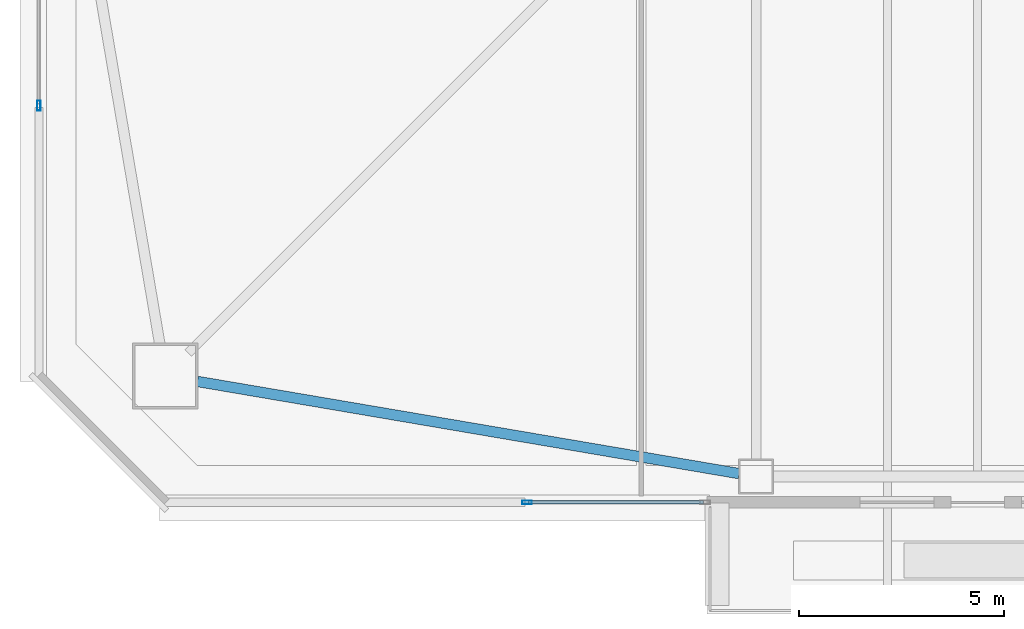
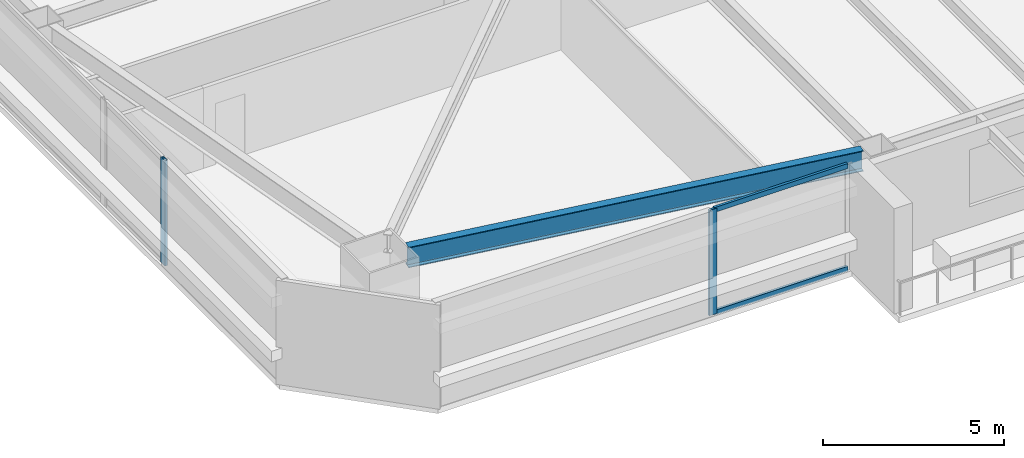
# One storey, part 3 of 48: 4 members, 1 beam, 2 elements without a shape of their own.
"""IFC4 building model written with IfcOpenShell, lengths in metres."""

from ifc_helpers import new_model, si_unit, direction, frame, origin, origin_2d, place, context, subcontext, project, spatial, hollow_rectangle, i_section, extrude, material, material_profile, profile_set, type_object, element, aggregate, save


model = new_model("IFC4")

# Units and contexts
model_context = context("Model", 3, precision=1e-05, world=origin(), true_north=direction((0.0, 1.0)))
body_context = subcontext(model_context, "Body", "Model", "MODEL_VIEW")
ifc_project = project(units=[si_unit("LENGTHUNIT", "METRE"), si_unit("AREAUNIT", "SQUARE_METRE"), si_unit("VOLUMEUNIT", "CUBIC_METRE"), si_unit("PLANEANGLEUNIT", "RADIAN"), si_unit("MASSUNIT", "GRAM", prefix="KILO")], contexts=[model_context])

# Site, building, storey
site_placement = place(None, origin())
site = spatial("IfcSite", under=ifc_project, at=site_placement, CompositionType="ELEMENT")
building_placement = place(site_placement, origin())
building = spatial("IfcBuilding", under=site, at=building_placement, Name="Tashvorn Skyway Center", CompositionType="ELEMENT")
storey_placement = place(building_placement, frame((0.0, 0.0, 56.550048828125)))
storey = spatial("IfcBuildingStorey", under=building, at=storey_placement, Name="L14", CompositionType="ELEMENT", Elevation=56.550048828125)

# Beam
ifc_material_1 = material(Name="Steel ASTM A992 Grade 50", Category="steel")
ifc_material_profile_1 = material_profile(ifc_material_1, i_section(OverallWidth=0.256103515625, OverallDepth=0.693115234375, WebThickness=0.014404296875, FlangeThickness=0.023681640625, at=origin_2d()), Name="W27X114")
ifc_profile_set_1 = profile_set([ifc_material_profile_1], Name="Steel ASTM A992 Grade 50")
beam_type = type_object("IfcBeamType", Name="BM-SPANDREL-W27X114", PredefinedType="SPANDREL", material=ifc_profile_set_1)
beam_placement = place(storey_placement, frame((22.983642578125, 12.066650390625, 3.00341796875), z_axis=(0.985835025551, -0.16771792509, 0.0), x_axis=(0.16771792509, 0.985835025551, 0.0)))
element("IfcBeam", 1, at=beam_placement, inside=storey, type_object=beam_type, Name="Tower 1 L14 Spandrel Beam 01", PredefinedType="SPANDREL", context=body_context, shape_type="SweptSolid", body=[
    extrude(i_section(OverallWidth=0.256103515625, OverallDepth=0.693115234375, WebThickness=0.014404296875, FlangeThickness=0.023681640625, at=origin_2d()), origin(), (0.0, 0.0, 1.0), 13.39208984375),
])

# Curtain wall, member
ifc_material_2 = material(Name="Thermally broken bronze-anodized aluminium 6063-T6", Category="aluminium")
curtain_wall_type = type_object("IfcCurtainWallType", Name="CW-CW-Z1", PredefinedType="NOTDEFINED", material=ifc_material_2)
curtain_wall_1_placement = place(storey_placement, origin())
curtain_wall_1 = element("IfcCurtainWall", 2, at=curtain_wall_1_placement, inside=storey, type_object=curtain_wall_type, Name="Tower 1 L14 South Curtain Wall R Glazing Group 1", PredefinedType="NOTDEFINED")
ifc_material_profile_2 = material_profile(ifc_material_2, hollow_rectangle(XDim=0.0849609375, YDim=0.239990234375, WallThickness=0.0048828125, at=origin_2d()), Name="ALU-MULL-85x240")
ifc_profile_set_2 = profile_set([ifc_material_profile_2], Name="Thermally broken bronze-anodized aluminium 6063-T6")
member_type_1 = type_object("IfcMemberType", Name="CWM-CW-Z1", PredefinedType="MULLION", material=ifc_profile_set_2)
member_1_placement = place(storey_placement, frame((31.015869140625, 9.1201171875, 0.0), z_axis=(0.0, 0.0, 1.0), x_axis=(0.0, -1.0, 0.0)))
member_1 = element("IfcMember", 3, at=member_1_placement, type_object=member_type_1, Name="CW-Z1 mullion 2", PredefinedType="MULLION", context=body_context, shape_type="SweptSolid", body=[
    extrude(hollow_rectangle(XDim=0.0849609375, YDim=0.239990234375, WallThickness=0.0048828125, at=origin_2d()), origin(), (0.0, 0.0, 1.0), 3.550048828125),
])

curtain_wall_2_placement = place(storey_placement, origin())
curtain_wall_2 = element("IfcCurtainWall", 4, at=curtain_wall_2_placement, inside=storey, type_object=curtain_wall_type, Name="Tower 1 L14 West Unitised Curtain Wall Glazing Group 1", PredefinedType="NOTDEFINED")
member_2_placement = place(storey_placement, frame((19.1201171875, 18.789306640625, 0.0), z_axis=(0.0, 0.0, 1.0), x_axis=(-1.0, 0.0, 0.0)))
member_2 = element("IfcMember", 5, at=member_2_placement, type_object=member_type_1, Name="CW-Z1 mullion 1", PredefinedType="MULLION", context=body_context, shape_type="SweptSolid", body=[
    extrude(hollow_rectangle(XDim=0.0849609375, YDim=0.239990234375, WallThickness=0.0048828125, at=origin_2d()), origin(), (0.0, 0.0, 1.0), 3.550048828125),
])
aggregate(curtain_wall_2, [member_2])

# Member
ifc_material_profile_3 = material_profile(ifc_material_2, hollow_rectangle(XDim=0.0849609375, YDim=0.1650390625, WallThickness=0.0048828125, at=origin_2d()), Name="ALU-TRAN-85x165")
ifc_profile_set_3 = profile_set([ifc_material_profile_3], Name="Thermally broken bronze-anodized aluminium 6063-T6")
member_type_2 = type_object("IfcMemberType", Name="CWT-CW-Z1", PredefinedType="USERDEFINED", material=ifc_profile_set_3)
member_3_placement = place(storey_placement, frame((35.31494140625, 9.1201171875, 0.04248046875), z_axis=(-1.0, 0.0, 0.0), x_axis=(0.0, -1.0, 0.0)))
member_3 = element("IfcMember", 6, at=member_3_placement, type_object=member_type_2, Name="CW-Z1 transom 1.1", ObjectType="TRANSOM", PredefinedType="USERDEFINED", context=body_context, shape_type="SweptSolid", body=[
    extrude(hollow_rectangle(XDim=0.0849609375, YDim=0.1650390625, WallThickness=0.0048828125, at=origin_2d()), origin(), (0.0, 0.0, 1.0), 4.256591796875),
])

member_4_placement = place(storey_placement, frame((35.31494140625, 9.1201171875, 3.507568359375), z_axis=(-1.0, 0.0, 0.0), x_axis=(0.0, -1.0, 0.0)))
member_4 = element("IfcMember", 7, at=member_4_placement, type_object=member_type_2, Name="CW-Z1 transom 1.2", ObjectType="TRANSOM", PredefinedType="USERDEFINED", context=body_context, shape_type="SweptSolid", body=[
    extrude(hollow_rectangle(XDim=0.0849609375, YDim=0.1650390625, WallThickness=0.0048828125, at=origin_2d()), origin(), (0.0, 0.0, 1.0), 4.256591796875),
])

aggregate(curtain_wall_1, [member_1, member_3, member_4])

save(model, "model.ifc")
